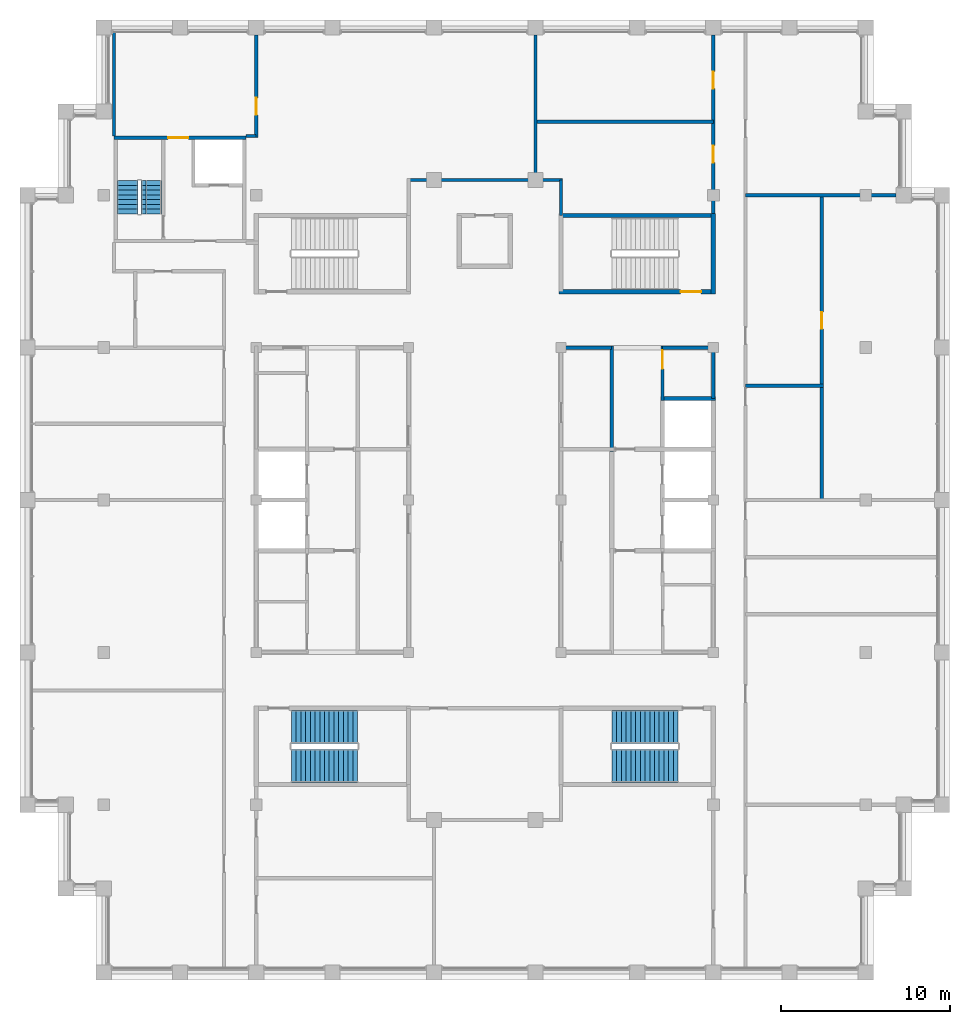
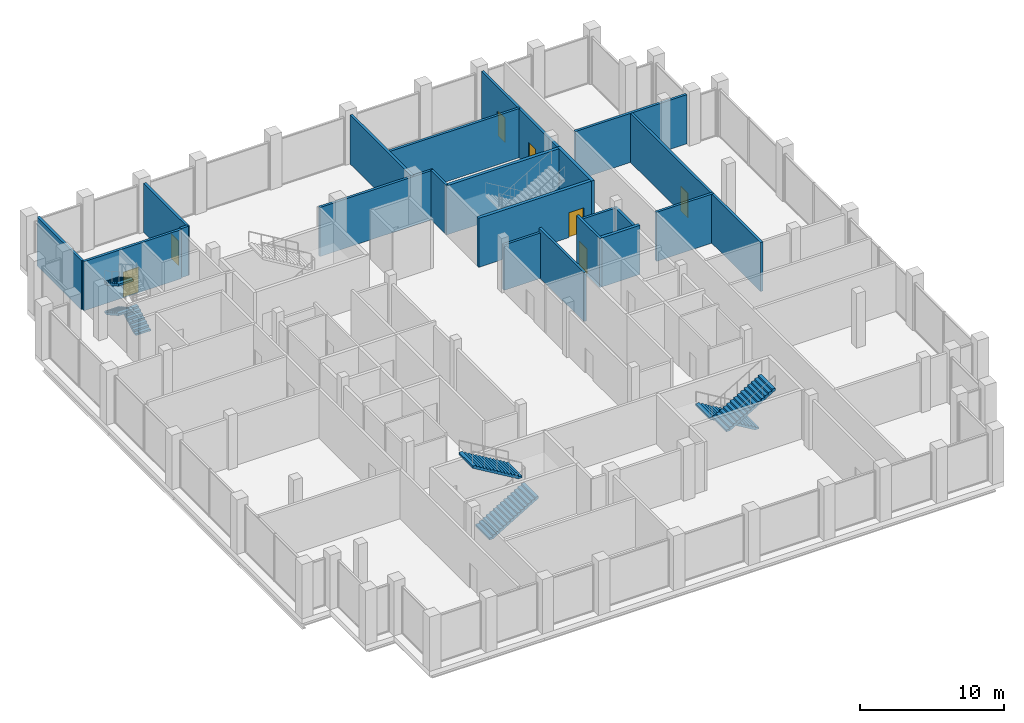
# One storey, part 11 of 13: 21 walls, 7 doors, 7 stair flights, 7 openings, 3 elements without a shape of their own.
"""IFC4 building model written with IfcOpenShell, lengths in metres."""

from ifc_helpers import new_model, si_unit, direction, frame, frame_2d, origin, place, context, subcontext, project, spatial, polyline, rectangle, outline, extrude, material, layer, layer_set, type_object, element, fill, aggregate, save


model = new_model("IFC4")

# Units and contexts
model_context = context("Model", 3, precision=1e-05, world=origin(), true_north=direction((0.0, 1.0)))
body_context = subcontext(model_context, "Body", "Model", "MODEL_VIEW")
ifc_project = project(units=[si_unit("LENGTHUNIT", "METRE"), si_unit("AREAUNIT", "SQUARE_METRE"), si_unit("VOLUMEUNIT", "CUBIC_METRE"), si_unit("PLANEANGLEUNIT", "RADIAN"), si_unit("MASSUNIT", "GRAM", prefix="KILO")], contexts=[model_context])

# Site, building, storey
site_placement = place(None, origin())
site = spatial("IfcSite", under=ifc_project, at=site_placement, CompositionType="ELEMENT")
building_placement = place(site_placement, origin())
building = spatial("IfcBuilding", under=site, at=building_placement, Name="Corbelhall Arena Tower", CompositionType="ELEMENT")
storey_placement = place(building_placement, frame((0.0, 0.0, 361.0)))
storey = spatial("IfcBuildingStorey", under=building, at=storey_placement, Name="L79", CompositionType="ELEMENT", Elevation=361.0)

# Walls
ifc_material_1 = material(Name="Gypsum board on steel stud, acoustic", Category="steel")
ifc_layer_1 = layer(ifc_material_1, 0.199951171875)
ifc_layer_set_1 = layer_set([ifc_layer_1], Name="IN-W-DM200")
wall_type_1 = type_object("IfcWallType", Name="IN-W-DM200", PredefinedType="PARTITIONING", material=ifc_layer_set_1)
wall_1_placement = place(storey_placement, frame((-21.89990234375, 21.5, 0.0), z_axis=(0.0, 0.0, 1.0), x_axis=(0.0, 1.0, 0.0)))
element("IfcWall", 1, at=wall_1_placement, inside=storey, type_object=wall_type_1, Name="Partition 005", PredefinedType="PARTITIONING", context=body_context, shape_type="SweptSolid", body=[
    extrude(rectangle(XDim=6.135986328125, YDim=0.199951171875, at=frame_2d((3.06787109375, 0.0))), origin(), (0.0, 0.0, 1.0), 4.149658203125),
])
wall_2_placement = place(storey_placement, frame((-13.5, 21.5, 0.0), z_axis=(0.0, 0.0, 1.0), x_axis=(-1.0, 0.0, 0.0)))
element("IfcWall", 2, at=wall_2_placement, inside=storey, type_object=wall_type_1, Name="Partition 013", PredefinedType="PARTITIONING", context=body_context, shape_type="SweptSolid", body=[
    extrude(rectangle(XDim=0.60009765625, YDim=0.199951171875, at=frame_2d((0.300048828125, 0.0))), origin(), (0.0, 0.0, 1.0), 4.149658203125),
])

# Wall, opening, door
wall_3_placement = place(storey_placement, frame((-13.5, 27.449951171875, 0.0), z_axis=(0.0, 0.0, 1.0), x_axis=(0.0, -1.0, 0.0)))
wall_3 = element("IfcWall", 3, at=wall_3_placement, inside=storey, type_object=wall_type_1, Name="Partition 014", PredefinedType="PARTITIONING", context=body_context, shape_type="SweptSolid", body=[
    extrude(rectangle(XDim=6.050048828125, YDim=0.199951171875, at=frame_2d((3.02490234375, 0.0))), origin(), (0.0, 0.0, 1.0), 4.149658203125),
])
opening_1_placement = place(wall_3_placement, frame((3.699951171875, 0.0, 0.0)))
opening_1 = element("IfcOpeningElement", 4, at=opening_1_placement, cuts=wall_3, Name="Opening 33021", PredefinedType="OPENING", context=body_context, shape_type="SweptSolid", body=[
    extrude(rectangle(XDim=1.0, YDim=2.10009765625, at=frame_2d((0.5, 1.050048828125))), frame((0.0, 0.10009765625, 0.0), z_axis=(0.0, -1.0, 0.0), x_axis=(1.0, 0.0, 0.0)), (0.0, 0.0, 1.0), 0.199951171875),
])
ifc_material_2 = material(Name="Steel door set", Category="steel")
door_type_1 = type_object("IfcDoorType", Name="IN-D-SW100", OperationType="NOTDEFINED", PredefinedType="DOOR", material=ifc_material_2)
door_1_placement = place(opening_1_placement, origin())
door_1 = element("IfcDoor", 5, at=door_1_placement, inside=storey, type_object=door_type_1, Name="Door 021", OperationType="SINGLE_SWING_RIGHT", OverallHeight=2.10009765625, OverallWidth=1.0, PredefinedType="DOOR", context=body_context, shape_type="SweptSolid", body=[
    extrude(rectangle(XDim=1.0, YDim=2.10009765625, at=frame_2d((0.5, 1.050048828125))), frame((0.0, 0.02490234375, 0.0), z_axis=(0.0, -1.0, 0.0), x_axis=(1.0, 0.0, 0.0)), (0.0, 0.0, 1.0), 0.050048828125),
])
fill(opening_1, door_1)

# Walls
wall_4_placement = place(storey_placement, frame((-4.5, 18.89990234375, 0.0), z_axis=(0.0, 0.0, 1.0), x_axis=(1.0, 0.0, 0.0)))
element("IfcWall", 6, at=wall_4_placement, inside=storey, type_object=wall_type_1, Name="Partition 017", PredefinedType="PARTITIONING", context=body_context, shape_type="SweptSolid", body=[
    extrude(rectangle(XDim=9.10009765625, YDim=0.199951171875, at=frame_2d((4.550048828125, 0.0))), origin(), (0.0, 0.0, 1.0), 4.149658203125),
])
wall_5_placement = place(storey_placement, frame((3.0, 22.35009765625, 0.0), z_axis=(0.0, 0.0, 1.0), x_axis=(1.0, 0.0, 0.0)))
element("IfcWall", 7, at=wall_5_placement, inside=storey, type_object=wall_type_1, Name="Partition 020", PredefinedType="PARTITIONING", context=body_context, shape_type="SweptSolid", body=[
    extrude(rectangle(XDim=10.5, YDim=0.199951171875, at=frame_2d((5.25, 0.0))), origin(), (0.0, 0.0, 1.0), 4.149658203125),
])
wall_6_placement = place(storey_placement, frame((3.0, 27.449951171875, 0.0), z_axis=(0.0, 0.0, 1.0), x_axis=(0.0, -1.0, 0.0)))
element("IfcWall", 8, at=wall_6_placement, inside=storey, type_object=wall_type_1, Name="Partition 021", PredefinedType="PARTITIONING", context=body_context, shape_type="SweptSolid", body=[
    extrude(rectangle(XDim=8.550048828125, YDim=0.199951171875, at=frame_2d((4.27490234375, 0.0))), origin(), (0.0, 0.0, 1.0), 4.149658203125),
])
wall_7_placement = place(storey_placement, frame((4.5, 18.89990234375, 0.0), z_axis=(0.0, 0.0, 1.0), x_axis=(0.0, -1.0, 0.0)))
element("IfcWall", 9, at=wall_7_placement, inside=storey, type_object=wall_type_1, Name="Partition 023", PredefinedType="PARTITIONING", context=body_context, shape_type="SweptSolid", body=[
    extrude(rectangle(XDim=2.099853515625, YDim=0.199951171875, at=frame_2d((1.0498046875, 0.0))), origin(), (0.0, 0.0, 1.0), 4.149658203125),
])

# Wall, openings, doors
wall_8_placement = place(storey_placement, frame((13.5, 16.675048828125, 0.0), z_axis=(0.0, 0.0, 1.0), x_axis=(0.0, 1.0, 0.0)))
wall_8 = element("IfcWall", 10, at=wall_8_placement, inside=storey, type_object=wall_type_1, Name="Partition 026", PredefinedType="PARTITIONING", context=body_context, shape_type="SweptSolid", body=[
    extrude(rectangle(XDim=10.77490234375, YDim=0.199951171875, at=frame_2d((5.387451171875, 0.0))), origin(), (0.0, 0.0, 1.0), 4.149658203125),
])
opening_2_placement = place(wall_8_placement, frame((3.25, 0.0, 0.0)))
opening_2 = element("IfcOpeningElement", 11, at=opening_2_placement, cuts=wall_8, Name="Opening 33022", PredefinedType="OPENING", context=body_context, shape_type="SweptSolid", body=[
    extrude(rectangle(XDim=1.0, YDim=2.10009765625, at=frame_2d((0.5, 1.050048828125))), frame((0.0, 0.10009765625, 0.0), z_axis=(0.0, -1.0, 0.0), x_axis=(1.0, 0.0, 0.0)), (0.0, 0.0, 1.0), 0.199951171875),
])
opening_3_placement = place(wall_8_placement, frame((7.625, 0.0, 0.0)))
opening_3 = element("IfcOpeningElement", 12, at=opening_3_placement, cuts=wall_8, Name="Opening 33023", PredefinedType="OPENING", context=body_context, shape_type="SweptSolid", body=[
    extrude(rectangle(XDim=1.0, YDim=2.10009765625, at=frame_2d((0.5, 1.050048828125))), frame((0.0, 0.10009765625, 0.0), z_axis=(0.0, -1.0, 0.0), x_axis=(1.0, 0.0, 0.0)), (0.0, 0.0, 1.0), 0.199951171875),
])
door_2_placement = place(opening_2_placement, origin())
door_2 = element("IfcDoor", 13, at=door_2_placement, inside=storey, type_object=door_type_1, Name="Door 022", OperationType="SINGLE_SWING_LEFT", OverallHeight=2.10009765625, OverallWidth=1.0, PredefinedType="DOOR", context=body_context, shape_type="SweptSolid", body=[
    extrude(rectangle(XDim=1.0, YDim=2.10009765625, at=frame_2d((0.5, 1.050048828125))), frame((0.0, 0.02490234375, 0.0), z_axis=(0.0, -1.0, 0.0), x_axis=(1.0, 0.0, 0.0)), (0.0, 0.0, 1.0), 0.050048828125),
])
fill(opening_2, door_2)
door_3_placement = place(opening_3_placement, origin())
door_3 = element("IfcDoor", 14, at=door_3_placement, inside=storey, type_object=door_type_1, Name="Door 023", OperationType="SINGLE_SWING_RIGHT", OverallHeight=2.10009765625, OverallWidth=1.0, PredefinedType="DOOR", context=body_context, shape_type="SweptSolid", body=[
    extrude(rectangle(XDim=1.0, YDim=2.10009765625, at=frame_2d((0.5, 1.050048828125))), frame((0.0, 0.02490234375, 0.0), z_axis=(0.0, -1.0, 0.0), x_axis=(1.0, 0.0, 0.0)), (0.0, 0.0, 1.0), 0.050048828125),
])
fill(opening_3, door_3)

# Walls
wall_9_placement = place(storey_placement, frame((15.39990234375, 6.75, 0.0), z_axis=(0.0, 0.0, 1.0), x_axis=(1.0, 0.0, 0.0)))
element("IfcWall", 15, at=wall_9_placement, inside=storey, type_object=wall_type_1, Name="Partition 031", PredefinedType="PARTITIONING", context=body_context, shape_type="SweptSolid", body=[
    extrude(rectangle(XDim=4.60009765625, YDim=0.199951171875, at=frame_2d((2.300048828125, 0.0))), origin(), (0.0, 0.0, 1.0), 4.149658203125),
])
wall_10_placement = place(storey_placement, frame((15.39990234375, 18.0, 0.0), z_axis=(0.0, 0.0, 1.0), x_axis=(1.0, 0.0, 0.0)))
element("IfcWall", 16, at=wall_10_placement, inside=storey, type_object=wall_type_1, Name="Partition 032", PredefinedType="PARTITIONING", context=body_context, shape_type="SweptSolid", body=[
    extrude(rectangle(XDim=8.900146484375, YDim=0.199951171875, at=frame_2d((4.4501953125, 0.0))), origin(), (0.0, 0.0, 1.0), 4.149658203125),
])

# Wall, opening, door
wall_11_placement = place(storey_placement, frame((19.89990234375, 18.10009765625, 0.0), z_axis=(0.0, 0.0, 1.0), x_axis=(0.0, -1.0, 0.0)))
wall_11 = element("IfcWall", 17, at=wall_11_placement, inside=storey, type_object=wall_type_1, Name="Partition 034", PredefinedType="PARTITIONING", context=body_context, shape_type="SweptSolid", body=[
    extrude(rectangle(XDim=18.2001953125, YDim=0.199951171875, at=frame_2d((9.10009765625, 0.0))), origin(), (0.0, 0.0, 1.0), 4.149658203125),
])
opening_4_placement = place(wall_11_placement, frame((7.0, 0.0, 0.0)))
opening_4 = element("IfcOpeningElement", 18, at=opening_4_placement, cuts=wall_11, Name="Opening 33035", PredefinedType="OPENING", context=body_context, shape_type="SweptSolid", body=[
    extrude(rectangle(XDim=1.0, YDim=2.10009765625, at=frame_2d((0.5, 1.050048828125))), frame((0.0, 0.10009765625, 0.0), z_axis=(0.0, -1.0, 0.0), x_axis=(1.0, 0.0, 0.0)), (0.0, 0.0, 1.0), 0.199951171875),
])
door_4_placement = place(opening_4_placement, origin())
door_4 = element("IfcDoor", 19, at=door_4_placement, inside=storey, type_object=door_type_1, Name="Door 035", OperationType="SINGLE_SWING_RIGHT", OverallHeight=2.10009765625, OverallWidth=1.0, PredefinedType="DOOR", context=body_context, shape_type="SweptSolid", body=[
    extrude(rectangle(XDim=1.0, YDim=2.10009765625, at=frame_2d((0.5, 1.050048828125))), frame((0.0, 0.02490234375, 0.0), z_axis=(0.0, -1.0, 0.0), x_axis=(1.0, 0.0, 0.0)), (0.0, 0.0, 1.0), 0.050048828125),
])
fill(opening_4, door_4)

ifc_material_3 = material(Name="Concrete C40/50", Category="concrete")
ifc_layer_2 = layer(ifc_material_3, 0.199951171875)
ifc_layer_set_2 = layer_set([ifc_layer_2], Name="IN-W-EAR200")
wall_type_2 = type_object("IfcWallType", Name="IN-W-EAR200", PredefinedType="SOLIDWALL", material=ifc_layer_set_2)
wall_12_placement = place(storey_placement, frame((-21.89990234375, 21.39990234375, 0.0), z_axis=(0.0, 0.0, 1.0), x_axis=(1.0, 0.0, 0.0)))
wall_12 = element("IfcWall", 20, at=wall_12_placement, inside=storey, type_object=wall_type_2, Name="Fire service turret wall north", PredefinedType="SOLIDWALL", context=body_context, shape_type="SweptSolid", body=[
    extrude(rectangle(XDim=7.7998046875, YDim=0.199951171875, at=frame_2d((3.89990234375, 0.0))), origin(), (0.0, 0.0, 1.0), 4.149658203125),
])
opening_5_placement = place(wall_12_placement, frame((3.199951171875, 0.0, 0.0)))
opening_5 = element("IfcOpeningElement", 21, at=opening_5_placement, cuts=wall_12, Name="Opening E333", PredefinedType="OPENING", context=body_context, shape_type="SweptSolid", body=[
    extrude(rectangle(XDim=1.199951171875, YDim=2.10009765625, at=frame_2d((0.60009765625, 1.050048828125))), frame((0.0, 0.10009765625, 0.0), z_axis=(0.0, -1.0, 0.0), x_axis=(1.0, 0.0, 0.0)), (0.0, 0.0, 1.0), 0.199951171875),
])
door_type_2 = type_object("IfcDoorType", Name="IN-D-ST120", OperationType="NOTDEFINED", PredefinedType="DOOR", material=ifc_material_2)
door_5_placement = place(opening_5_placement, origin())
door_5 = element("IfcDoor", 22, at=door_5_placement, inside=storey, type_object=door_type_2, Name="Door from fire service lift lobby to the north gallery", OperationType="SINGLE_SWING_LEFT", OverallHeight=2.10009765625, OverallWidth=1.199951171875, PredefinedType="DOOR", context=body_context, shape_type="SweptSolid", body=[
    extrude(rectangle(XDim=1.199951171875, YDim=2.10009765625, at=frame_2d((0.60009765625, 1.050048828125))), frame((0.0, 0.02490234375, 0.0), z_axis=(0.0, -1.0, 0.0), x_axis=(1.0, 0.0, 0.0)), (0.0, 0.0, 1.0), 0.050048828125),
])
fill(opening_5, door_5)

# Wall
ifc_material_4 = material(Name="Concrete block wall", Category="concrete")
ifc_layer_3 = layer(ifc_material_4, 0.199951171875)
ifc_layer_set_3 = layer_set([ifc_layer_3], Name="IN-W-RS200")
wall_type_3 = type_object("IfcWallType", Name="IN-W-RS200", PredefinedType="SOLIDWALL", material=ifc_layer_set_3)
wall_13_placement = place(storey_placement, frame((7.5, 9.10009765625, 0.0), z_axis=(0.0, 0.0, 1.0), x_axis=(0.0, -1.0, 0.0)))
element("IfcWall", 23, at=wall_13_placement, inside=storey, type_object=wall_type_3, Name="Partition 051", PredefinedType="SOLIDWALL", context=body_context, shape_type="SweptSolid", body=[
    extrude(rectangle(XDim=6.22509765625, YDim=0.199951171875, at=frame_2d((3.112548828125, 0.0))), origin(), (0.0, 0.0, 1.0), 4.149658203125),
])

# Wall, opening, door
wall_14_placement = place(storey_placement, frame((10.5, 9.10009765625, 0.0), z_axis=(0.0, 0.0, 1.0), x_axis=(0.0, -1.0, 0.0)))
wall_14 = element("IfcWall", 24, at=wall_14_placement, inside=storey, type_object=wall_type_3, Name="Partition 054", PredefinedType="SOLIDWALL", context=body_context, shape_type="SweptSolid", body=[
    extrude(rectangle(XDim=3.22509765625, YDim=0.199951171875, at=frame_2d((1.612548828125, 0.0))), origin(), (0.0, 0.0, 1.0), 4.149658203125),
])
opening_6_placement = place(wall_14_placement, frame((0.25, 0.0, 0.0)))
opening_6 = element("IfcOpeningElement", 25, at=opening_6_placement, cuts=wall_14, Name="Opening 33015", PredefinedType="OPENING", context=body_context, shape_type="SweptSolid", body=[
    extrude(rectangle(XDim=1.10009765625, YDim=2.10009765625, at=frame_2d((0.550048828125, 1.050048828125))), frame((0.0, 0.10009765625, 0.0), z_axis=(0.0, -1.0, 0.0), x_axis=(1.0, 0.0, 0.0)), (0.0, 0.0, 1.0), 0.199951171875),
])
door_type_3 = type_object("IfcDoorType", Name="IN-D-FD110", OperationType="NOTDEFINED", PredefinedType="DOOR", material=ifc_material_2)
door_6_placement = place(opening_6_placement, origin())
door_6 = element("IfcDoor", 26, at=door_6_placement, inside=storey, type_object=door_type_3, Name="Door 015", OperationType="SINGLE_SWING_RIGHT", OverallHeight=2.10009765625, OverallWidth=1.10009765625, PredefinedType="DOOR", context=body_context, shape_type="SweptSolid", body=[
    extrude(rectangle(XDim=1.10009765625, YDim=2.10009765625, at=frame_2d((0.550048828125, 1.050048828125))), frame((0.0, 0.02490234375, 0.0), z_axis=(0.0, -1.0, 0.0), x_axis=(1.0, 0.0, 0.0)), (0.0, 0.0, 1.0), 0.050048828125),
])
fill(opening_6, door_6)

# Walls
ifc_layer_4 = layer(ifc_material_4, 0.199951171875)
ifc_layer_set_4 = layer_set([ifc_layer_4], Name="IN-W-RS200 under beam 312 mm")
wall_type_4 = type_object("IfcWallType", Name="IN-W-RS200 under beam 312 mm", PredefinedType="SOLIDWALL", material=ifc_layer_set_4)
for number, where, z_axis, x_axis, name in (
    (27, (4.5, 9.0, 0.0), (0.0, 0.0, 1.0), (1.0, 0.0, 0.0), "Partition 048"),
    (28, (10.5, 9.0, 0.0), (0.0, 0.0, 1.0), (1.0, 0.0, 0.0), "Partition 053"),
):
    element("IfcWall", number, at=place(storey_placement, frame(where, z_axis=z_axis, x_axis=x_axis)), inside=storey, type_object=wall_type_4, Name=name, PredefinedType="SOLIDWALL", context=body_context, shape_type="SweptSolid", body=[
        extrude(rectangle(XDim=3.0, YDim=0.199951171875, at=frame_2d((1.5, 0.0))), origin(), (0.0, 0.0, 1.0), 3.837646484375),
    ])
wall_15_placement = place(storey_placement, frame((13.5, 9.10009765625, 0.0), z_axis=(0.0, 0.0, 1.0), x_axis=(0.0, -1.0, 0.0)))
element("IfcWall", 29, at=wall_15_placement, inside=storey, type_object=wall_type_4, Name="Partition 056", PredefinedType="SOLIDWALL", context=body_context, shape_type="SweptSolid", body=[
    extrude(rectangle(XDim=3.10009765625, YDim=0.199951171875, at=frame_2d((1.550048828125, 0.0))), origin(), (0.0, 0.0, 1.0), 3.837646484375),
])
ifc_layer_5 = layer(ifc_material_3, 0.25)
ifc_layer_set_5 = layer_set([ifc_layer_5], Name="IN-W-SH250")
wall_type_5 = type_object("IfcWallType", Name="IN-W-SH250", PredefinedType="SOLIDWALL", material=ifc_layer_set_5)
wall_16_placement = place(storey_placement, frame((10.5, 6.0, 0.0), z_axis=(0.0, 0.0, 1.0), x_axis=(1.0, 0.0, 0.0)))
element("IfcWall", 30, at=wall_16_placement, inside=storey, type_object=wall_type_5, Name="Shaft wall 072", PredefinedType="SOLIDWALL", context=body_context, shape_type="SweptSolid", body=[
    extrude(rectangle(XDim=3.125, YDim=0.25, at=frame_2d((1.5625, 0.0))), origin(), (0.0, 0.0, 1.0), 4.149658203125),
])

# Wall, opening, door
ifc_layer_6 = layer(ifc_material_3, 0.25)
ifc_layer_set_6 = layer_set([ifc_layer_6], Name="IN-W-ST250")
wall_type_6 = type_object("IfcWallType", Name="IN-W-ST250", PredefinedType="SOLIDWALL", material=ifc_layer_set_6)
wall_17_placement = place(storey_placement, frame((4.375, 12.300048828125, 0.0), z_axis=(0.0, 0.0, 1.0), x_axis=(1.0, 0.0, 0.0)))
wall_17 = element("IfcWall", 31, at=wall_17_placement, inside=storey, type_object=wall_type_6, Name="Shaft wall 082", PredefinedType="SOLIDWALL", context=body_context, shape_type="SweptSolid", body=[
    extrude(rectangle(XDim=9.125, YDim=0.25, at=frame_2d((4.5625, 0.0))), origin(), (0.0, 0.0, 1.0), 4.149658203125),
])
opening_7_placement = place(wall_17_placement, frame((7.199951171875, 0.0, 0.0)))
opening_7 = element("IfcOpeningElement", 32, at=opening_7_placement, cuts=wall_17, Name="Opening 33018", PredefinedType="OPENING", context=body_context, shape_type="SweptSolid", body=[
    extrude(rectangle(XDim=1.199951171875, YDim=2.10009765625, at=frame_2d((0.60009765625, 1.050048828125))), frame((0.0, 0.125, 0.0), z_axis=(0.0, -1.0, 0.0), x_axis=(1.0, 0.0, 0.0)), (0.0, 0.0, 1.0), 0.25),
])
door_7_placement = place(opening_7_placement, origin())
door_7 = element("IfcDoor", 33, at=door_7_placement, inside=storey, type_object=door_type_2, Name="Door 018", OperationType="SINGLE_SWING_LEFT", OverallHeight=2.10009765625, OverallWidth=1.199951171875, PredefinedType="DOOR", context=body_context, shape_type="SweptSolid", body=[
    extrude(rectangle(XDim=1.199951171875, YDim=2.10009765625, at=frame_2d((0.60009765625, 1.050048828125))), frame((0.0, 0.02490234375, 0.0), z_axis=(0.0, -1.0, 0.0), x_axis=(1.0, 0.0, 0.0)), (0.0, 0.0, 1.0), 0.050048828125),
])
fill(opening_7, door_7)

# Walls
wall_18_placement = place(storey_placement, frame((4.39990234375, 16.800048828125, 0.0), z_axis=(0.0, 0.0, 1.0), x_axis=(1.0, 0.0, 0.0)))
element("IfcWall", 34, at=wall_18_placement, inside=storey, type_object=wall_type_6, Name="Shaft wall 083", PredefinedType="SOLIDWALL", context=body_context, shape_type="SweptSolid", body=[
    extrude(rectangle(XDim=9.10009765625, YDim=0.25, at=frame_2d((4.550048828125, 0.0))), origin(), (0.0, 0.0, 1.0), 4.149658203125),
])
wall_19_placement = place(storey_placement, frame((13.5, 12.175048828125, 0.0), z_axis=(0.0, 0.0, 1.0), x_axis=(0.0, 1.0, 0.0)))
element("IfcWall", 35, at=wall_19_placement, inside=storey, type_object=wall_type_6, Name="Shaft wall 089", PredefinedType="SOLIDWALL", context=body_context, shape_type="SweptSolid", body=[
    extrude(rectangle(XDim=4.75, YDim=0.25, at=frame_2d((2.375, 0.0))), origin(), (0.0, 0.0, 1.0), 4.149658203125),
])

# Stair, stair flights
stair_type = type_object("IfcStairType", Name="IN-ST-TOWER", PredefinedType="HALF_TURN_STAIR", material=ifc_material_3)
stair_1_placement = place(storey_placement, origin())
stair_1 = element("IfcStair", 36, at=stair_1_placement, inside=storey, type_object=stair_type, Name="L79 Exit stair ST2", PredefinedType="HALF_TURN_STAIR")
stair_flight_type = type_object("IfcStairFlightType", Name="IN-SFL-RC", PredefinedType="STRAIGHT", material=ifc_material_3)
stair_flight_1_placement = place(storey_placement, frame((-11.425048828125, -15.699951171875, 0.0), z_axis=(0.0, 0.0, 1.0), x_axis=(1.0, 0.0, 0.0)))
stair_flight_1 = element("IfcStairFlight", 37, at=stair_flight_1_placement, type_object=stair_flight_type, Name="ST2 flight 1", NumberOfRisers=15, NumberOfTreads=14, PredefinedType="STRAIGHT", RiserHeight=0.166666667, TreadLength=0.28, context=body_context, shape_type="SweptSolid", body=[
    extrude(outline(polyline([(0.0, 0.0), (0.0, 0.166748046875), (0.280029296875, 0.166748046875), (0.280029296875, 0.333251953125), (0.56005859375, 0.333251953125), (0.56005859375, 0.5), (0.840087890625, 0.5), (0.840087890625, 0.666748046875), (1.1201171875, 0.666748046875), (1.1201171875, 0.833251953125), (1.39990234375, 0.833251953125), (1.39990234375, 1.0), (1.679931640625, 1.0), (1.679931640625, 1.166748046875), (1.9599609375, 1.166748046875), (1.9599609375, 1.333251953125), (2.239990234375, 1.333251953125), (2.239990234375, 1.5), (2.52001953125, 1.5), (2.52001953125, 1.666748046875), (2.800048828125, 1.666748046875), (2.800048828125, 1.833251953125), (3.080078125, 1.833251953125), (3.080078125, 2.0), (3.360107421875, 2.0), (3.360107421875, 2.166748046875), (3.639892578125, 2.166748046875), (3.639892578125, 2.333251953125), (3.919921875, 2.333251953125), (3.919921875, 2.5), (3.919921875, 2.158935546875), (0.29296875, 0.0), (0.0, 0.0)])), frame((0.0, 0.97509765625, 0.0), z_axis=(0.0, -1.0, 0.0), x_axis=(1.0, 0.0, 0.0)), (0.0, 0.0, 1.0), 1.949951171875),
])
stair_flight_2_placement = place(storey_placement, frame((-7.5048828125, -13.39990234375, 2.5), z_axis=(0.0, 0.0, 1.0), x_axis=(-1.0, 0.0, 0.0)))
stair_flight_2 = element("IfcStairFlight", 38, at=stair_flight_2_placement, type_object=stair_flight_type, Name="ST2 flight 2", NumberOfRisers=15, NumberOfTreads=14, PredefinedType="STRAIGHT", RiserHeight=0.166666667, TreadLength=0.28, context=body_context, shape_type="SweptSolid", body=[
    extrude(outline(polyline([(0.0, 0.0), (0.0, 0.166748046875), (0.280029296875, 0.166748046875), (0.280029296875, 0.333251953125), (0.56005859375, 0.333251953125), (0.56005859375, 0.5), (0.840087890625, 0.5), (0.840087890625, 0.666748046875), (1.1201171875, 0.666748046875), (1.1201171875, 0.833251953125), (1.39990234375, 0.833251953125), (1.39990234375, 1.0), (1.679931640625, 1.0), (1.679931640625, 1.166748046875), (1.9599609375, 1.166748046875), (1.9599609375, 1.333251953125), (2.239990234375, 1.333251953125), (2.239990234375, 1.5), (2.52001953125, 1.5), (2.52001953125, 1.666748046875), (2.800048828125, 1.666748046875), (2.800048828125, 1.833251953125), (3.080078125, 1.833251953125), (3.080078125, 2.0), (3.360107421875, 2.0), (3.360107421875, 2.166748046875), (3.639892578125, 2.166748046875), (3.639892578125, 2.333251953125), (3.919921875, 2.333251953125), (3.919921875, 2.5), (3.919921875, 2.158935546875), (0.29296875, 0.0), (0.0, 0.0)])), frame((0.0, 0.97509765625, 0.0), z_axis=(0.0, -1.0, 0.0), x_axis=(1.0, 0.0, 0.0)), (0.0, 0.0, 1.0), 1.949951171875),
])
aggregate(stair_1, [stair_flight_1, stair_flight_2])

stair_2_placement = place(storey_placement, origin())
stair_2 = element("IfcStair", 39, at=stair_2_placement, inside=storey, type_object=stair_type, Name="L79 Exit stair ST4", PredefinedType="HALF_TURN_STAIR")
stair_flight_3_placement = place(storey_placement, frame((11.425048828125, -13.39990234375, 0.0), z_axis=(0.0, 0.0, 1.0), x_axis=(-1.0, 0.0, 0.0)))
stair_flight_3 = element("IfcStairFlight", 40, at=stair_flight_3_placement, type_object=stair_flight_type, Name="ST4 flight 1", NumberOfRisers=15, NumberOfTreads=14, PredefinedType="STRAIGHT", RiserHeight=0.166666667, TreadLength=0.28, context=body_context, shape_type="SweptSolid", body=[
    extrude(outline(polyline([(0.0, 0.0), (0.0, 0.166748046875), (0.280029296875, 0.166748046875), (0.280029296875, 0.333251953125), (0.56005859375, 0.333251953125), (0.56005859375, 0.5), (0.840087890625, 0.5), (0.840087890625, 0.666748046875), (1.1201171875, 0.666748046875), (1.1201171875, 0.833251953125), (1.39990234375, 0.833251953125), (1.39990234375, 1.0), (1.679931640625, 1.0), (1.679931640625, 1.166748046875), (1.9599609375, 1.166748046875), (1.9599609375, 1.333251953125), (2.239990234375, 1.333251953125), (2.239990234375, 1.5), (2.52001953125, 1.5), (2.52001953125, 1.666748046875), (2.800048828125, 1.666748046875), (2.800048828125, 1.833251953125), (3.080078125, 1.833251953125), (3.080078125, 2.0), (3.360107421875, 2.0), (3.360107421875, 2.166748046875), (3.639892578125, 2.166748046875), (3.639892578125, 2.333251953125), (3.919921875, 2.333251953125), (3.919921875, 2.5), (3.919921875, 2.158935546875), (0.29296875, 0.0), (0.0, 0.0)])), frame((0.0, 0.97509765625, 0.0), z_axis=(0.0, -1.0, 0.0), x_axis=(1.0, 0.0, 0.0)), (0.0, 0.0, 1.0), 1.949951171875),
])
stair_flight_4_placement = place(storey_placement, frame((7.5048828125, -15.699951171875, 2.5), z_axis=(0.0, 0.0, 1.0), x_axis=(1.0, 0.0, 0.0)))
stair_flight_4 = element("IfcStairFlight", 41, at=stair_flight_4_placement, type_object=stair_flight_type, Name="ST4 flight 2", NumberOfRisers=15, NumberOfTreads=14, PredefinedType="STRAIGHT", RiserHeight=0.166666667, TreadLength=0.28, context=body_context, shape_type="SweptSolid", body=[
    extrude(outline(polyline([(0.0, 0.0), (0.0, 0.166748046875), (0.280029296875, 0.166748046875), (0.280029296875, 0.333251953125), (0.56005859375, 0.333251953125), (0.56005859375, 0.5), (0.840087890625, 0.5), (0.840087890625, 0.666748046875), (1.1201171875, 0.666748046875), (1.1201171875, 0.833251953125), (1.39990234375, 0.833251953125), (1.39990234375, 1.0), (1.679931640625, 1.0), (1.679931640625, 1.166748046875), (1.9599609375, 1.166748046875), (1.9599609375, 1.333251953125), (2.239990234375, 1.333251953125), (2.239990234375, 1.5), (2.52001953125, 1.5), (2.52001953125, 1.666748046875), (2.800048828125, 1.666748046875), (2.800048828125, 1.833251953125), (3.080078125, 1.833251953125), (3.080078125, 2.0), (3.360107421875, 2.0), (3.360107421875, 2.166748046875), (3.639892578125, 2.166748046875), (3.639892578125, 2.333251953125), (3.919921875, 2.333251953125), (3.919921875, 2.5), (3.919921875, 2.158935546875), (0.29296875, 0.0), (0.0, 0.0)])), frame((0.0, 0.97509765625, 0.0), z_axis=(0.0, -1.0, 0.0), x_axis=(1.0, 0.0, 0.0)), (0.0, 0.0, 1.0), 1.949951171875),
])
aggregate(stair_2, [stair_flight_3, stair_flight_4])

stair_3_placement = place(storey_placement, origin())
stair_3 = element("IfcStair", 42, at=stair_3_placement, inside=storey, type_object=stair_type, Name="L79 Exit stair ST5", PredefinedType="HALF_TURN_STAIR")
stair_flight_5_placement = place(storey_placement, frame((-19.695068359375, 16.89990234375, 0.0), z_axis=(0.0, 0.0, 1.0), x_axis=(0.0, 1.0, 0.0)))
stair_flight_5 = element("IfcStairFlight", 43, at=stair_flight_5_placement, type_object=stair_flight_type, Name="ST5 flight 1", NumberOfRisers=8, NumberOfTreads=7, PredefinedType="STRAIGHT", RiserHeight=0.15625, TreadLength=0.28, context=body_context, shape_type="SweptSolid", body=[
    extrude(outline(polyline([(0.0, 0.0), (0.0, 0.15625), (0.280029296875, 0.15625), (0.280029296875, 0.3125), (0.56005859375, 0.3125), (0.56005859375, 0.46875), (0.840087890625, 0.46875), (0.840087890625, 0.625), (1.1201171875, 0.625), (1.1201171875, 0.78125), (1.39990234375, 0.78125), (1.39990234375, 0.9375), (1.679931640625, 0.9375), (1.679931640625, 1.09375), (1.9599609375, 1.09375), (1.9599609375, 1.25), (1.9599609375, 0.922119140625), (0.3076171875, 0.0), (0.0, 0.0)])), frame((0.0, 0.60009765625, 0.0), z_axis=(0.0, -1.0, 0.0), x_axis=(1.0, 0.0, 0.0)), (0.0, 0.0, 1.0), 0.300048828125),
    extrude(outline(polyline([(0.0, 0.0), (0.0, 0.15625), (0.280029296875, 0.15625), (0.280029296875, 0.3125), (0.56005859375, 0.3125), (0.56005859375, 0.46875), (0.840087890625, 0.46875), (0.840087890625, 0.625), (1.1201171875, 0.625), (1.1201171875, 0.78125), (1.39990234375, 0.78125), (1.39990234375, 0.9375), (1.679931640625, 0.9375), (1.679931640625, 1.09375), (1.9599609375, 1.09375), (1.9599609375, 1.25), (1.9599609375, 0.922119140625), (0.3076171875, 0.0), (0.0, 0.0)])), frame((0.0, 0.2958984375, 0.0), z_axis=(0.0, -1.0, 0.0), x_axis=(1.0, 0.0, 0.0)), (0.0, 0.0, 1.0), 0.592041015625),
    extrude(outline(polyline([(0.0, 0.0), (0.0, 0.15625), (0.280029296875, 0.15625), (0.280029296875, 0.3125), (0.56005859375, 0.3125), (0.56005859375, 0.46875), (0.840087890625, 0.46875), (0.840087890625, 0.625), (1.1201171875, 0.625), (1.1201171875, 0.78125), (1.39990234375, 0.78125), (1.39990234375, 0.9375), (1.679931640625, 0.9375), (1.679931640625, 1.09375), (1.9599609375, 1.09375), (1.9599609375, 1.25), (1.9599609375, 0.922119140625), (0.3076171875, 0.0), (0.0, 0.0)])), frame((0.0, -0.300048828125, 0.0), z_axis=(0.0, -1.0, 0.0), x_axis=(1.0, 0.0, 0.0)), (0.0, 0.0, 1.0), 0.300048828125),
])
stair_flight_6_placement = place(storey_placement, frame((-21.094970703125, 18.860107421875, 1.25), z_axis=(0.0, 0.0, 1.0), x_axis=(0.0, -1.0, 0.0)))
stair_flight_6 = element("IfcStairFlight", 44, at=stair_flight_6_placement, type_object=stair_flight_type, Name="ST5 flight 2", NumberOfRisers=8, NumberOfTreads=7, PredefinedType="STRAIGHT", RiserHeight=0.15625, TreadLength=0.28, context=body_context, shape_type="SweptSolid", body=[
    extrude(outline(polyline([(0.0, 0.0), (0.0, 0.15625), (0.280029296875, 0.15625), (0.280029296875, 0.3125), (0.56005859375, 0.3125), (0.56005859375, 0.46875), (0.840087890625, 0.46875), (0.840087890625, 0.625), (1.1201171875, 0.625), (1.1201171875, 0.78125), (1.39990234375, 0.78125), (1.39990234375, 0.9375), (1.679931640625, 0.9375), (1.679931640625, 1.09375), (1.9599609375, 1.09375), (1.9599609375, 1.25), (1.9599609375, 0.922119140625), (0.3076171875, 0.0), (0.0, 0.0)])), frame((0.0, 0.60009765625, 0.0), z_axis=(0.0, -1.0, 0.0), x_axis=(1.0, 0.0, 0.0)), (0.0, 0.0, 1.0), 0.300048828125),
    extrude(outline(polyline([(0.0, 0.0), (0.0, 0.15625), (0.280029296875, 0.15625), (0.280029296875, 0.3125), (0.56005859375, 0.3125), (0.56005859375, 0.46875), (0.840087890625, 0.46875), (0.840087890625, 0.625), (1.1201171875, 0.625), (1.1201171875, 0.78125), (1.39990234375, 0.78125), (1.39990234375, 0.9375), (1.679931640625, 0.9375), (1.679931640625, 1.09375), (1.9599609375, 1.09375), (1.9599609375, 1.25), (1.9599609375, 0.922119140625), (0.3076171875, 0.0), (0.0, 0.0)])), frame((0.0, 0.2958984375, 0.0), z_axis=(0.0, -1.0, 0.0), x_axis=(1.0, 0.0, 0.0)), (0.0, 0.0, 1.0), 0.592041015625),
    extrude(outline(polyline([(0.0, 0.0), (0.0, 0.15625), (0.280029296875, 0.15625), (0.280029296875, 0.3125), (0.56005859375, 0.3125), (0.56005859375, 0.46875), (0.840087890625, 0.46875), (0.840087890625, 0.625), (1.1201171875, 0.625), (1.1201171875, 0.78125), (1.39990234375, 0.78125), (1.39990234375, 0.9375), (1.679931640625, 0.9375), (1.679931640625, 1.09375), (1.9599609375, 1.09375), (1.9599609375, 1.25), (1.9599609375, 0.922119140625), (0.3076171875, 0.0), (0.0, 0.0)])), frame((0.0, -0.300048828125, 0.0), z_axis=(0.0, -1.0, 0.0), x_axis=(1.0, 0.0, 0.0)), (0.0, 0.0, 1.0), 0.300048828125),
])
stair_flight_7_placement = place(storey_placement, frame((-21.094970703125, 18.860107421875, 3.75), z_axis=(0.0, 0.0, 1.0), x_axis=(0.0, -1.0, 0.0)))
stair_flight_7 = element("IfcStairFlight", 45, at=stair_flight_7_placement, type_object=stair_flight_type, Name="ST5 flight 4", NumberOfRisers=8, NumberOfTreads=7, PredefinedType="STRAIGHT", RiserHeight=0.15625, TreadLength=0.28, context=body_context, shape_type="SweptSolid", body=[
    extrude(outline(polyline([(0.0, 0.0), (0.0, 0.15625), (0.280029296875, 0.15625), (0.280029296875, 0.3125), (0.56005859375, 0.3125), (0.56005859375, 0.46875), (0.840087890625, 0.46875), (0.840087890625, 0.625), (1.1201171875, 0.625), (1.1201171875, 0.78125), (1.39990234375, 0.78125), (1.39990234375, 0.9375), (1.679931640625, 0.9375), (1.679931640625, 1.09375), (1.9599609375, 1.09375), (1.9599609375, 1.25), (1.9599609375, 0.922119140625), (0.3076171875, 0.0), (0.0, 0.0)])), frame((0.0, 0.60009765625, 0.0), z_axis=(0.0, -1.0, 0.0), x_axis=(1.0, 0.0, 0.0)), (0.0, 0.0, 1.0), 0.300048828125),
    extrude(outline(polyline([(0.0, 0.0), (0.0, 0.15625), (0.280029296875, 0.15625), (0.280029296875, 0.3125), (0.56005859375, 0.3125), (0.56005859375, 0.46875), (0.840087890625, 0.46875), (0.840087890625, 0.625), (1.1201171875, 0.625), (1.1201171875, 0.78125), (1.39990234375, 0.78125), (1.39990234375, 0.9375), (1.679931640625, 0.9375), (1.679931640625, 1.09375), (1.9599609375, 1.09375), (1.9599609375, 1.25), (1.9599609375, 0.922119140625), (0.3076171875, 0.0), (0.0, 0.0)])), frame((0.0, 0.2958984375, 0.0), z_axis=(0.0, -1.0, 0.0), x_axis=(1.0, 0.0, 0.0)), (0.0, 0.0, 1.0), 0.592041015625),
    extrude(outline(polyline([(0.0, 0.0), (0.0, 0.15625), (0.280029296875, 0.15625), (0.280029296875, 0.3125), (0.56005859375, 0.3125), (0.56005859375, 0.46875), (0.840087890625, 0.46875), (0.840087890625, 0.625), (1.1201171875, 0.625), (1.1201171875, 0.78125), (1.39990234375, 0.78125), (1.39990234375, 0.9375), (1.679931640625, 0.9375), (1.679931640625, 1.09375), (1.9599609375, 1.09375), (1.9599609375, 1.25), (1.9599609375, 0.922119140625), (0.3076171875, 0.0), (0.0, 0.0)])), frame((0.0, -0.300048828125, 0.0), z_axis=(0.0, -1.0, 0.0), x_axis=(1.0, 0.0, 0.0)), (0.0, 0.0, 1.0), 0.300048828125),
])
aggregate(stair_3, [stair_flight_5, stair_flight_6, stair_flight_7])

save(model, "model.ifc")
